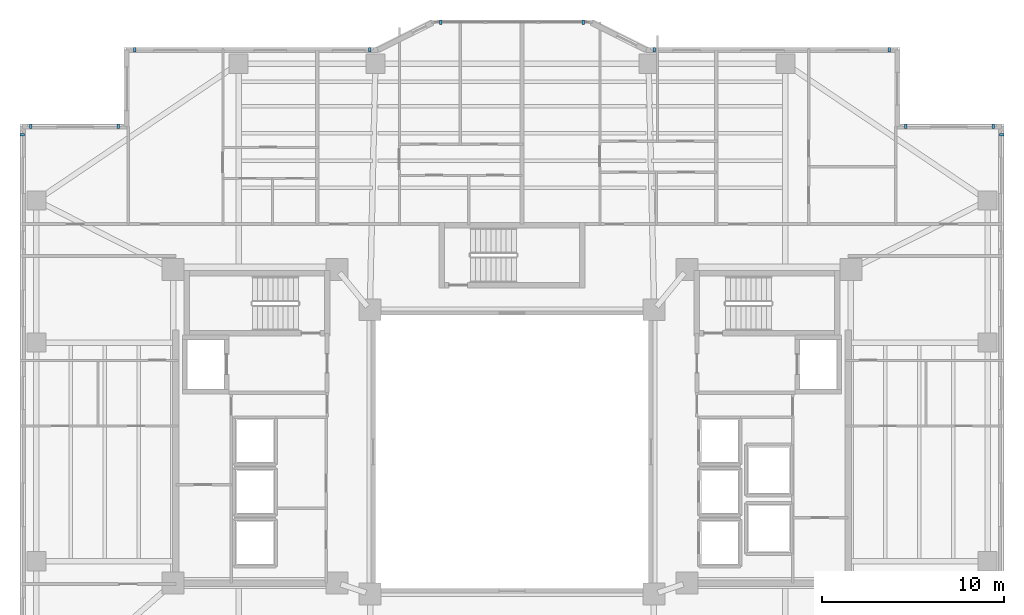
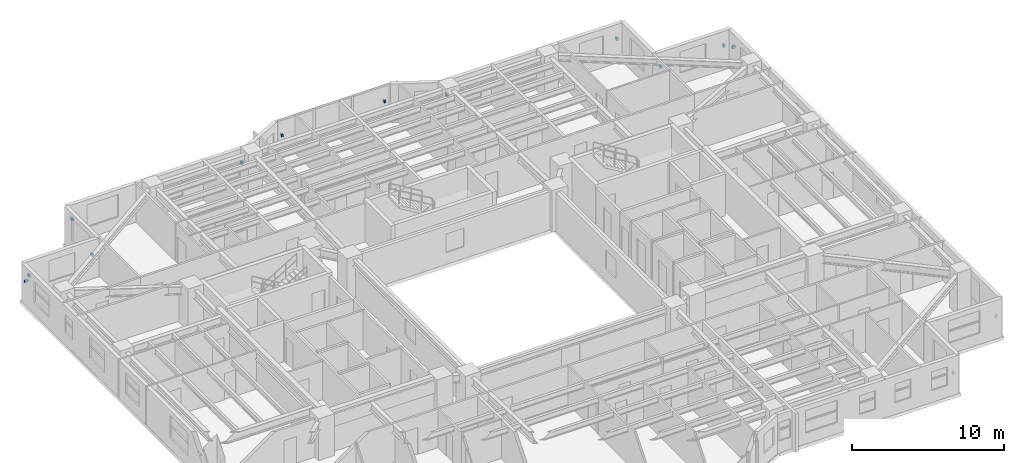
# One storey, part 14 of 19: 12 discrete accessories.
"""IFC4 building model written with IfcOpenShell, lengths in metres."""

from ifc_helpers import new_model, si_unit, direction, frame, origin, origin_2d, place, context, subcontext, project, spatial, rectangle, extrude, material, type_object, element, save


model = new_model("IFC4")

# Units and contexts
model_context = context("Model", 3, precision=1e-05, world=origin(), true_north=direction((0.0, 1.0)))
body_context = subcontext(model_context, "Body", "Model", "MODEL_VIEW")
ifc_project = project(units=[si_unit("LENGTHUNIT", "METRE"), si_unit("AREAUNIT", "SQUARE_METRE"), si_unit("VOLUMEUNIT", "CUBIC_METRE"), si_unit("PLANEANGLEUNIT", "RADIAN"), si_unit("MASSUNIT", "GRAM", prefix="KILO")], contexts=[model_context])

# Site, building, storey
site_placement = place(None, origin())
site = spatial("IfcSite", under=ifc_project, at=site_placement, CompositionType="ELEMENT")
building_placement = place(site_placement, origin())
building = spatial("IfcBuilding", under=site, at=building_placement, Name="Tarnavaz Court Tower", CompositionType="ELEMENT")
storey_placement = place(building_placement, frame((0.0, 0.0, 81.64990234375)))
storey = spatial("IfcBuildingStorey", under=building, at=storey_placement, Name="L21", CompositionType="ELEMENT", Elevation=81.64990234375)

# Discrete accessories
ifc_material = material(Name="Anodised Aluminium 6063-T6", Category="aluminium")
discrete_accessory_type = type_object("IfcDiscreteAccessoryType", Name="DA-BRKT-ALU", PredefinedType="BRACKET", material=ifc_material)
for number, where, z_axis, x_axis, name in (
    (1, (-26.8701171875, 17.39990234375, 1.75), (0.0, 0.0, 1.0), (0.0, 1.0, 0.0), "L21 Baguette Outrigger Bracket FBG02-2"),
    (2, (-26.39990234375, 17.8701171875, 1.75), (0.0, 0.0, 1.0), (1.0, 0.0, 0.0), "L21 Baguette Outrigger Bracket FBG03-1"),
    (3, (-21.60009765625, 17.8701171875, 1.75), (0.0, 0.0, 1.0), (1.0, 0.0, 0.0), "L21 Baguette Outrigger Bracket FBG03-2"),
    (4, (-20.699951171875, 22.070068359375, 1.75), (0.0, 0.0, 1.0), (1.0, 0.0, 0.0), "L21 Baguette Outrigger Bracket FBG05-1"),
    (5, (-7.800048828125, 22.070068359375, 1.75), (0.0, 0.0, 1.0), (1.0, 0.0, 0.0), "L21 Baguette Outrigger Bracket FBG05-2"),
    (6, (-3.89990234375, 23.570068359375, 1.7001953125), (0.0, 0.0, 1.0), (1.0, 0.0, 0.0), "L21 Baguette Outrigger Bracket PBG7-1"),
    (7, (3.89990234375, 23.570068359375, 1.7001953125), (0.0, 0.0, 1.0), (1.0, 0.0, 0.0), "L21 Baguette Outrigger Bracket PBG7-2"),
    (8, (7.800048828125, 22.070068359375, 1.75), (0.0, 0.0, 1.0), (1.0, 0.0, 0.0), "L21 Baguette Outrigger Bracket FBG09-1"),
    (9, (20.699951171875, 22.070068359375, 1.75), (0.0, 0.0, 1.0), (1.0, 0.0, 0.0), "L21 Baguette Outrigger Bracket FBG09-2"),
    (10, (21.60009765625, 17.8701171875, 1.75), (0.0, 0.0, 1.0), (1.0, 0.0, 0.0), "L21 Baguette Outrigger Bracket FBG11-1"),
    (11, (26.39990234375, 17.8701171875, 1.75), (0.0, 0.0, 1.0), (1.0, 0.0, 0.0), "L21 Baguette Outrigger Bracket FBG11-2"),
    (12, (26.8701171875, 17.39990234375, 1.75), (0.0, 0.0, 1.0), (0.0, -1.0, 0.0), "L21 Baguette Outrigger Bracket FBG12-1"),
):
    element("IfcDiscreteAccessory", number, at=place(storey_placement, frame(where, z_axis=z_axis, x_axis=x_axis)), inside=storey, type_object=discrete_accessory_type, Name=name, PredefinedType="BRACKET", context=body_context, shape_type="SweptSolid", body=[
        extrude(rectangle(XDim=0.139892578125, YDim=0.239990234375, at=origin_2d()), origin(), (0.0, 0.0, 1.0), 0.199951171875),
    ])

save(model, "model.ifc")
